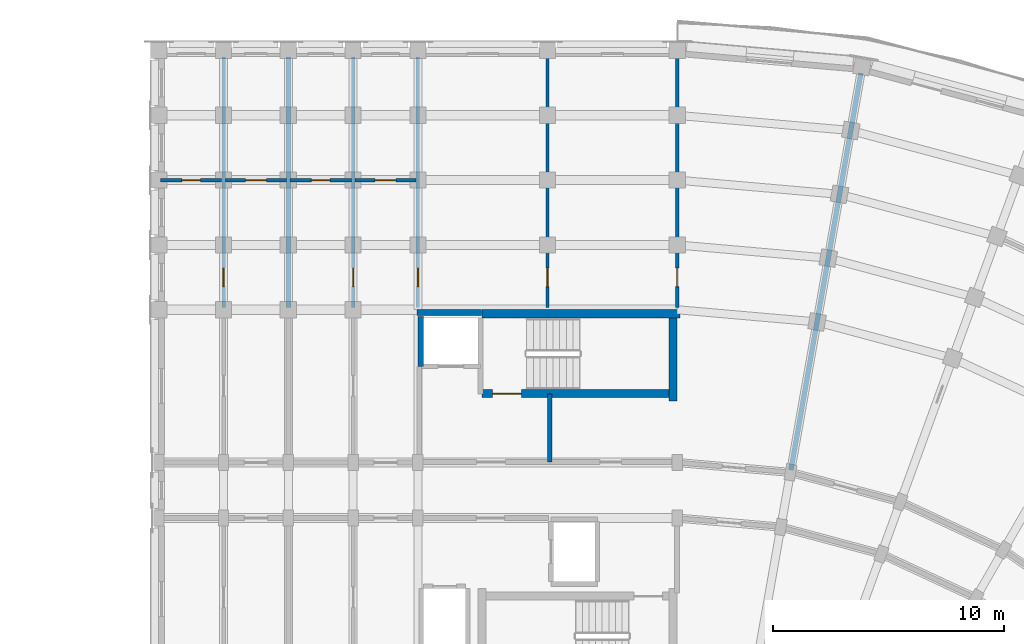
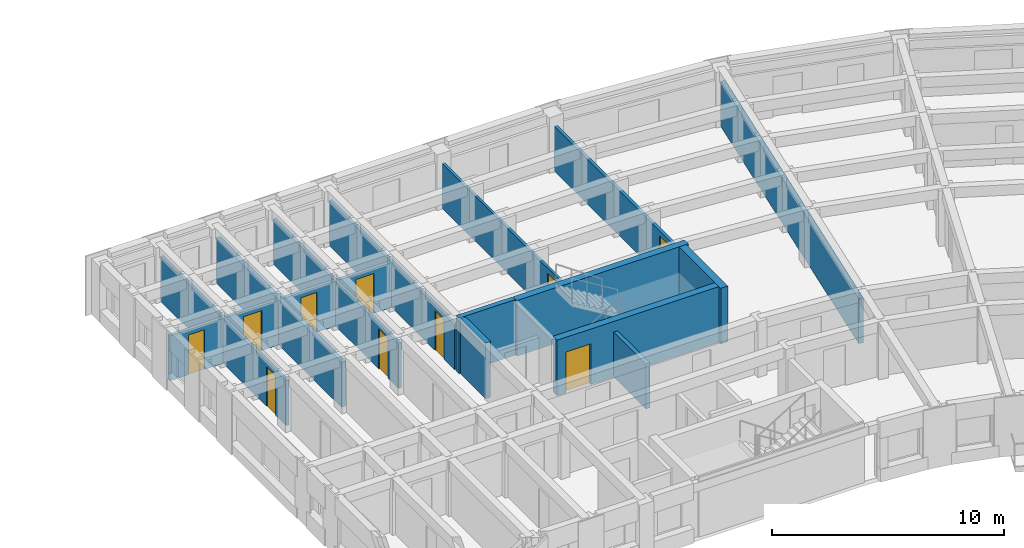
# One storey, part 32 of 57: 17 walls, 10 doors, 10 openings.
"""IFC4 building model written with IfcOpenShell, lengths in metres."""

from ifc_helpers import new_model, si_unit, direction, frame, frame_2d, origin, place, context, subcontext, project, spatial, rectangle, extrude, material, layer, layer_set, type_object, element, fill, save


model = new_model("IFC4")

# Units and contexts
model_context = context("Model", 3, precision=1e-05, world=origin(), true_north=direction((0.0, 1.0)))
body_context = subcontext(model_context, "Body", "Model", "MODEL_VIEW")
ifc_project = project(units=[si_unit("LENGTHUNIT", "METRE"), si_unit("AREAUNIT", "SQUARE_METRE"), si_unit("VOLUMEUNIT", "CUBIC_METRE"), si_unit("PLANEANGLEUNIT", "RADIAN"), si_unit("MASSUNIT", "GRAM", prefix="KILO")], contexts=[model_context])

# Site, building, storey
site_placement = place(None, origin())
site = spatial("IfcSite", under=ifc_project, at=site_placement, CompositionType="ELEMENT")
building_placement = place(site_placement, origin())
building = spatial("IfcBuilding", under=site, at=building_placement, Name="Kiranvali Square Residences", CompositionType="ELEMENT")
storey_placement = place(building_placement, frame((0.0, 0.0, 21.300048828125)))
storey = spatial("IfcBuildingStorey", under=building, at=storey_placement, Name="L06", CompositionType="ELEMENT", Elevation=21.300048828125)

# Walls
ifc_material_1 = material(Name="Autoclaved aerated concrete blockwork masonry", Category="masonry")
ifc_layer_1 = layer(ifc_material_1, 0.219970703125)
ifc_layer_set_1 = layer_set([ifc_layer_1], Name="Autoclaved aerated concrete blockwork masonry")
wall_type_1 = type_object("IfcWallType", Name="WL-DEM-220", PredefinedType="STANDARD", material=ifc_layer_set_1)
wall_1_placement = place(storey_placement, frame((103.0, 122.699951171875, 0.0), z_axis=(0.0, 0.0, 1.0), x_axis=(0.0, 1.0, 0.0)))
element("IfcWall", 1, at=wall_1_placement, inside=storey, type_object=wall_type_1, Name="L06 architectural wall WL-L06-B-A1TO2-2", PredefinedType="STANDARD", context=body_context, shape_type="SweptSolid", body=[
    extrude(rectangle(XDim=10.820068359375, YDim=0.219970703125, at=frame_2d((5.41015625, 0.0))), origin(), (0.0, 0.0, 1.0), 2.3720703125),
])
wall_2_placement = place(storey_placement, frame((124.71435546875, 115.670166015625, 0.0), z_axis=(0.0, 0.0, 1.0), x_axis=(0.173646216546, 0.984808098809, 0.0)))
element("IfcWall", 2, at=wall_2_placement, inside=storey, type_object=wall_type_1, Name="L06 architectural wall WL-L06-B-RADO-1", PredefinedType="STANDARD", context=body_context, shape_type="SweptSolid", body=[
    extrude(rectangle(XDim=17.419921875, YDim=0.219970703125, at=frame_2d((8.7099609375, 0.0))), origin(), (0.0, 0.0, 1.0), 2.3720703125),
])
ifc_layer_2 = layer(ifc_material_1, 0.199951171875)
ifc_layer_set_2 = layer_set([ifc_layer_2], Name="Autoclaved aerated concrete blockwork masonry")
wall_type_2 = type_object("IfcWallType", Name="WL-FFL-200", PredefinedType="STANDARD", material=ifc_layer_set_2)
wall_3_placement = place(storey_placement, frame((114.300048828125, 116.02001953125, 0.0), z_axis=(0.0, 0.0, 1.0), x_axis=(0.0, 1.0, 0.0)))
element("IfcWall", 3, at=wall_3_placement, inside=storey, type_object=wall_type_2, Name="L06 architectural wall WL-L06-B-FF-DIV", PredefinedType="STANDARD", context=body_context, shape_type="SweptSolid", body=[
    extrude(rectangle(XDim=2.929931640625, YDim=0.199951171875, at=frame_2d((1.46484375, 0.0))), origin(), (0.0, 0.0, 1.0), 2.3720703125),
])

# Wall, opening, door
ifc_material_2 = material(Name="Acoustic gypsum board drylined partition", Category="gypsum")
ifc_layer_3 = layer(ifc_material_2, 0.125)
ifc_layer_set_3 = layer_set([ifc_layer_3], Name="Acoustic gypsum board drylined partition")
wall_type_3 = type_object("IfcWallType", Name="WL-PRT-125", PredefinedType="PARTITIONING", material=ifc_layer_set_3)
wall_4_placement = place(storey_placement, frame((114.199951171875, 122.699951171875, 0.0), z_axis=(0.0, 0.0, 1.0), x_axis=(0.0, 1.0, 0.0)))
wall_4 = element("IfcWall", 4, at=wall_4_placement, inside=storey, type_object=wall_type_3, Name="L06 architectural wall WL-L06-B-CF-MID", PredefinedType="PARTITIONING", context=body_context, shape_type="SweptSolid", body=[
    extrude(rectangle(XDim=10.820068359375, YDim=0.125, at=frame_2d((5.41015625, 0.0))), origin(), (0.0, 0.0, 1.0), 2.3720703125),
])
opening_1_placement = place(wall_4_placement, frame((0.8994140625, 0.0, 0.0)))
opening_1 = element("IfcOpeningElement", 5, at=opening_1_placement, cuts=wall_4, Name="Opening ID-WET", PredefinedType="OPENING", context=body_context, shape_type="SweptSolid", body=[
    extrude(rectangle(XDim=0.800048828125, YDim=2.10009765625, at=frame_2d((0.39990234375, 1.050048828125))), frame((0.0, 0.072509765625, 0.0), z_axis=(0.0, -1.0, 0.0), x_axis=(1.0, 0.0, 0.0)), (0.0, 0.0, 1.0), 0.14501953125),
])
ifc_material_3 = material(Name="Solid seasoned teak hardwood joinery", Category="wood")
door_type_1 = type_object("IfcDoorType", Name="DR-WET-800", OperationType="NOTDEFINED", PredefinedType="DOOR", material=ifc_material_3)
door_1_placement = place(opening_1_placement, origin())
door_1 = element("IfcDoor", 6, at=door_1_placement, inside=storey, type_object=door_type_1, Name="L06 door DR-L06-1337 (DR-WET-800)", OperationType="SINGLE_SWING_LEFT", OverallHeight=2.10009765625, OverallWidth=0.800048828125, PredefinedType="DOOR", context=body_context, shape_type="SweptSolid", body=[
    extrude(rectangle(XDim=0.800048828125, YDim=2.10009765625, at=frame_2d((0.39990234375, 1.050048828125))), frame((0.0, 0.02490234375, 0.0), z_axis=(0.0, -1.0, 0.0), x_axis=(1.0, 0.0, 0.0)), (0.0, 0.0, 1.0), 0.050048828125),
])
fill(opening_1, door_1)

ifc_layer_4 = layer(ifc_material_2, 0.14990234375)
ifc_layer_set_4 = layer_set([ifc_layer_4], Name="Acoustic gypsum board drylined partition")
wall_type_4 = type_object("IfcWallType", Name="WL-PRT-150", PredefinedType="PARTITIONING", material=ifc_layer_set_4)
wall_5_placement = place(storey_placement, frame((108.60009765625, 122.699951171875, 0.0), z_axis=(0.0, 0.0, 1.0), x_axis=(0.0, 1.0, 0.0)))
wall_5 = element("IfcWall", 7, at=wall_5_placement, inside=storey, type_object=wall_type_4, Name="L06 architectural wall WL-L06-B-A1TO2-0", PredefinedType="PARTITIONING", context=body_context, shape_type="SweptSolid", body=[
    extrude(rectangle(XDim=10.820068359375, YDim=0.14990234375, at=frame_2d((5.41015625, 0.0))), origin(), (0.0, 0.0, 1.0), 2.3720703125),
])
opening_2_placement = place(wall_5_placement, frame((0.8994140625, 0.0, 0.0)))
opening_2 = element("IfcOpeningElement", 8, at=opening_2_placement, cuts=wall_5, Name="Opening ID-WET", PredefinedType="OPENING", context=body_context, shape_type="SweptSolid", body=[
    extrude(rectangle(XDim=0.800048828125, YDim=2.10009765625, at=frame_2d((0.39990234375, 1.050048828125))), frame((0.0, 0.0849609375, 0.0), z_axis=(0.0, -1.0, 0.0), x_axis=(1.0, 0.0, 0.0)), (0.0, 0.0, 1.0), 0.169921875),
])
door_2_placement = place(opening_2_placement, frame((0.800048828125, 0.0, 0.0), z_axis=(0.0, 0.0, 1.0), x_axis=(-1.0, 0.0, 0.0)))
door_2 = element("IfcDoor", 9, at=door_2_placement, inside=storey, type_object=door_type_1, Name="L06 door DR-L06-1346 (DR-WET-800)", OperationType="SINGLE_SWING_RIGHT", OverallHeight=2.10009765625, OverallWidth=0.800048828125, PredefinedType="DOOR", context=body_context, shape_type="SweptSolid", body=[
    extrude(rectangle(XDim=0.800048828125, YDim=2.10009765625, at=frame_2d((0.39990234375, 1.050048828125))), frame((0.0, 0.02490234375, 0.0), z_axis=(0.0, -1.0, 0.0), x_axis=(1.0, 0.0, 0.0)), (0.0, 0.0, 1.0), 0.050048828125),
])
fill(opening_2, door_2)

wall_6_placement = place(storey_placement, frame((105.800048828125, 122.699951171875, 0.0), z_axis=(0.0, 0.0, 1.0), x_axis=(0.0, 1.0, 0.0)))
wall_6 = element("IfcWall", 10, at=wall_6_placement, inside=storey, type_object=wall_type_4, Name="L06 architectural wall WL-L06-B-A1TO2-1", PredefinedType="PARTITIONING", context=body_context, shape_type="SweptSolid", body=[
    extrude(rectangle(XDim=10.820068359375, YDim=0.14990234375, at=frame_2d((5.41015625, 0.0))), origin(), (0.0, 0.0, 1.0), 2.3720703125),
])
opening_3_placement = place(wall_6_placement, frame((0.8994140625, 0.0, 0.0)))
opening_3 = element("IfcOpeningElement", 11, at=opening_3_placement, cuts=wall_6, Name="Opening ID-WET", PredefinedType="OPENING", context=body_context, shape_type="SweptSolid", body=[
    extrude(rectangle(XDim=0.800048828125, YDim=2.10009765625, at=frame_2d((0.39990234375, 1.050048828125))), frame((0.0, 0.0849609375, 0.0), z_axis=(0.0, -1.0, 0.0), x_axis=(1.0, 0.0, 0.0)), (0.0, 0.0, 1.0), 0.169921875),
])
door_3_placement = place(opening_3_placement, origin())
door_3 = element("IfcDoor", 12, at=door_3_placement, inside=storey, type_object=door_type_1, Name="L06 door DR-L06-1349 (DR-WET-800)", OperationType="SINGLE_SWING_LEFT", OverallHeight=2.10009765625, OverallWidth=0.800048828125, PredefinedType="DOOR", context=body_context, shape_type="SweptSolid", body=[
    extrude(rectangle(XDim=0.800048828125, YDim=2.10009765625, at=frame_2d((0.39990234375, 1.050048828125))), frame((0.0, 0.02490234375, 0.0), z_axis=(0.0, -1.0, 0.0), x_axis=(1.0, 0.0, 0.0)), (0.0, 0.0, 1.0), 0.050048828125),
])
fill(opening_3, door_3)

wall_7_placement = place(storey_placement, frame((100.199951171875, 122.699951171875, 0.0), z_axis=(0.0, 0.0, 1.0), x_axis=(0.0, 1.0, 0.0)))
wall_7 = element("IfcWall", 13, at=wall_7_placement, inside=storey, type_object=wall_type_4, Name="L06 architectural wall WL-L06-B-A1TO2-3", PredefinedType="PARTITIONING", context=body_context, shape_type="SweptSolid", body=[
    extrude(rectangle(XDim=10.820068359375, YDim=0.14990234375, at=frame_2d((5.41015625, 0.0))), origin(), (0.0, 0.0, 1.0), 2.3720703125),
])
opening_4_placement = place(wall_7_placement, frame((0.8994140625, 0.0, 0.0)))
opening_4 = element("IfcOpeningElement", 14, at=opening_4_placement, cuts=wall_7, Name="Opening ID-WET", PredefinedType="OPENING", context=body_context, shape_type="SweptSolid", body=[
    extrude(rectangle(XDim=0.800048828125, YDim=2.10009765625, at=frame_2d((0.39990234375, 1.050048828125))), frame((0.0, 0.0849609375, 0.0), z_axis=(0.0, -1.0, 0.0), x_axis=(1.0, 0.0, 0.0)), (0.0, 0.0, 1.0), 0.169921875),
])
door_4_placement = place(opening_4_placement, frame((0.800048828125, 0.0, 0.0), z_axis=(0.0, 0.0, 1.0), x_axis=(-1.0, 0.0, 0.0)))
door_4 = element("IfcDoor", 15, at=door_4_placement, inside=storey, type_object=door_type_1, Name="L06 door DR-L06-1352 (DR-WET-800)", OperationType="SINGLE_SWING_RIGHT", OverallHeight=2.10009765625, OverallWidth=0.800048828125, PredefinedType="DOOR", context=body_context, shape_type="SweptSolid", body=[
    extrude(rectangle(XDim=0.800048828125, YDim=2.10009765625, at=frame_2d((0.39990234375, 1.050048828125))), frame((0.0, 0.02490234375, 0.0), z_axis=(0.0, -1.0, 0.0), x_axis=(1.0, 0.0, 0.0)), (0.0, 0.0, 1.0), 0.050048828125),
])
fill(opening_4, door_4)

wall_8_placement = place(storey_placement, frame((119.800048828125, 122.699951171875, 0.0), z_axis=(0.0, 0.0, 1.0), x_axis=(0.0, 1.0, 0.0)))
wall_8 = element("IfcWall", 16, at=wall_8_placement, inside=storey, type_object=wall_type_4, Name="L06 architectural wall WL-L06-B-RADO-0", PredefinedType="PARTITIONING", context=body_context, shape_type="SweptSolid", body=[
    extrude(rectangle(XDim=10.820068359375, YDim=0.14990234375, at=frame_2d((5.41015625, 0.0))), origin(), (0.0, 0.0, 1.0), 2.3720703125),
])
opening_5_placement = place(wall_8_placement, frame((0.8994140625, 0.0, 0.0)))
opening_5 = element("IfcOpeningElement", 17, at=opening_5_placement, cuts=wall_8, Name="Opening ID-WET", PredefinedType="OPENING", context=body_context, shape_type="SweptSolid", body=[
    extrude(rectangle(XDim=0.800048828125, YDim=2.10009765625, at=frame_2d((0.39990234375, 1.050048828125))), frame((0.0, 0.0849609375, 0.0), z_axis=(0.0, -1.0, 0.0), x_axis=(1.0, 0.0, 0.0)), (0.0, 0.0, 1.0), 0.169921875),
])
door_5_placement = place(opening_5_placement, origin())
door_5 = element("IfcDoor", 18, at=door_5_placement, inside=storey, type_object=door_type_1, Name="L06 door DR-L06-1353 (DR-WET-800)", OperationType="SINGLE_SWING_LEFT", OverallHeight=2.10009765625, OverallWidth=0.800048828125, PredefinedType="DOOR", context=body_context, shape_type="SweptSolid", body=[
    extrude(rectangle(XDim=0.800048828125, YDim=2.10009765625, at=frame_2d((0.39990234375, 1.050048828125))), frame((0.0, 0.02490234375, 0.0), z_axis=(0.0, -1.0, 0.0), x_axis=(1.0, 0.0, 0.0)), (0.0, 0.0, 1.0), 0.050048828125),
])
fill(opening_5, door_5)

# Walls
ifc_material_4 = material(Name="Concrete M45 (45 MPa)", Category="concrete")
ifc_layer_5 = layer(ifc_material_4, 0.25)
ifc_layer_set_5 = layer_set([ifc_layer_5], Name="Concrete M45 (45 MPa)")
wall_type_5 = type_object("IfcWallType", Name="WL-SHR-250", PredefinedType="SHEAR", material=ifc_layer_set_5)
wall_9_placement = place(storey_placement, frame((111.35009765625, 122.47509765625, 0.0), z_axis=(0.0, 0.0, 1.0), x_axis=(-1.0, 0.0, 0.0)))
element("IfcWall", 19, at=wall_9_placement, inside=storey, type_object=wall_type_5, Name="Block B core shear wall SW-BFF-BK-L06", PredefinedType="SHEAR", context=body_context, shape_type="SweptSolid", body=[
    extrude(rectangle(XDim=2.800048828125, YDim=0.25, at=frame_2d((1.39990234375, 0.0))), origin(), (0.0, 0.0, 1.0), 2.929931640625),
])
wall_10_placement = place(storey_placement, frame((108.72509765625, 120.14990234375, 0.0), z_axis=(0.0, 0.0, 1.0), x_axis=(0.0, 1.0, 0.0)))
element("IfcWall", 20, at=wall_10_placement, inside=storey, type_object=wall_type_5, Name="Block B core shear wall SW-BFF-SD-L06", PredefinedType="SHEAR", context=body_context, shape_type="SweptSolid", body=[
    extrude(rectangle(XDim=2.150146484375, YDim=0.25, at=frame_2d((1.0751953125, 0.0))), origin(), (0.0, 0.0, 1.0), 2.929931640625),
])
ifc_layer_6 = layer(ifc_material_4, 0.320068359375)
ifc_layer_set_6 = layer_set([ifc_layer_6], Name="Concrete M45 (45 MPa)")
wall_type_6 = type_object("IfcWallType", Name="WL-SHR-320", PredefinedType="SHEAR", material=ifc_layer_set_6)
wall_11_placement = place(storey_placement, frame((119.919921875, 122.425048828125, 0.0), z_axis=(0.0, 0.0, 1.0), x_axis=(-1.0, 0.0, 0.0)))
element("IfcWall", 21, at=wall_11_placement, inside=storey, type_object=wall_type_6, Name="Block B core shear wall SW-B1-OUT-L06", PredefinedType="SHEAR", context=body_context, shape_type="SweptSolid", body=[
    extrude(rectangle(XDim=8.544921875, YDim=0.35009765625, at=frame_2d((4.2724609375, 0.0))), origin(), (0.0, 0.0, 1.0), 2.929931640625),
])

# Wall, opening, door
wall_12_placement = place(storey_placement, frame((119.449951171875, 118.97509765625, 0.0), z_axis=(0.0, 0.0, 1.0), x_axis=(-1.0, 0.0, 0.0)))
wall_12 = element("IfcWall", 22, at=wall_12_placement, inside=storey, type_object=wall_type_6, Name="Block B core shear wall SW-B1-IN-L06", PredefinedType="SHEAR", context=body_context, shape_type="SweptSolid", body=[
    extrude(rectangle(XDim=8.074951171875, YDim=0.35009765625, at=frame_2d((4.03759765625, 0.0))), origin(), (0.0, 0.0, 1.0), 2.929931640625),
])
opening_6_placement = place(wall_12_placement, frame((6.3798828125, 0.0, 0.0)))
opening_6 = element("IfcOpeningElement", 23, at=opening_6_placement, cuts=wall_12, Name="Opening FD-ST-120", PredefinedType="OPENING", context=body_context, shape_type="SweptSolid", body=[
    extrude(rectangle(XDim=1.239990234375, YDim=2.14990234375, at=frame_2d((0.6201171875, 1.074951171875))), frame((0.0, 0.18505859375, 0.0), z_axis=(0.0, -1.0, 0.0), x_axis=(1.0, 0.0, 0.0)), (0.0, 0.0, 1.0), 0.3701171875),
])
ifc_material_5 = material(Name="Fire-rated acoustic hardwood and mineral-core door assembly", Category="wood")
door_type_2 = type_object("IfcDoorType", Name="DR-FD120-1200", OperationType="NOTDEFINED", PredefinedType="DOOR", material=ifc_material_5)
door_6_placement = place(opening_6_placement, frame((1.239990234375, 0.0, 0.0), z_axis=(0.0, 0.0, 1.0), x_axis=(-1.0, 0.0, 0.0)))
door_6 = element("IfcDoor", 24, at=door_6_placement, inside=storey, type_object=door_type_2, Name="L06 door DR-L06-1329 (DR-FD120-1200)", OperationType="SINGLE_SWING_LEFT", OverallHeight=2.14990234375, OverallWidth=1.239990234375, PredefinedType="DOOR", context=body_context, shape_type="SweptSolid", body=[
    extrude(rectangle(XDim=1.239990234375, YDim=2.14990234375, at=frame_2d((0.6201171875, 1.074951171875))), frame((0.0, 0.02490234375, 0.0), z_axis=(0.0, -1.0, 0.0), x_axis=(1.0, 0.0, 0.0)), (0.0, 0.0, 1.0), 0.050048828125),
])
fill(opening_6, door_6)

# Wall
wall_13_placement = place(storey_placement, frame((119.625, 118.64990234375, 0.0), z_axis=(0.0, 0.0, 1.0), x_axis=(0.0, 1.0, 0.0)))
element("IfcWall", 25, at=wall_13_placement, inside=storey, type_object=wall_type_6, Name="Block B core shear wall SW-B1-FAR-L06", PredefinedType="SHEAR", context=body_context, shape_type="SweptSolid", body=[
    extrude(rectangle(XDim=3.60009765625, YDim=0.35009765625, at=frame_2d((1.800048828125, 0.0))), origin(), (0.0, 0.0, 1.0), 2.929931640625),
])

# Wall, opening, door
ifc_layer_7 = layer(ifc_material_1, 0.159912109375)
ifc_layer_set_7 = layer_set([ifc_layer_7], Name="Autoclaved aerated concrete blockwork masonry")
wall_type_7 = type_object("IfcWallType", Name="WL-WET-160", PredefinedType="PLUMBINGWALL", material=ifc_layer_set_7)
wall_14_placement = place(storey_placement, frame((108.52001953125, 128.199951171875, 0.0), z_axis=(0.0, 0.0, 1.0), x_axis=(-1.0, 0.0, 0.0)))
wall_14 = element("IfcWall", 26, at=wall_14_placement, inside=storey, type_object=wall_type_7, Name="L06 architectural wall WL-L06-B-A1SP-0", PredefinedType="PLUMBINGWALL", context=body_context, shape_type="SweptSolid", body=[
    extrude(rectangle(XDim=2.64013671875, YDim=0.159912109375, at=frame_2d((1.320068359375, 0.0))), origin(), (0.0, 0.0, 1.0), 2.3720703125),
])
opening_7_placement = place(wall_14_placement, frame((0.8701171875, 0.0, 0.0)))
opening_7 = element("IfcOpeningElement", 27, at=opening_7_placement, cuts=wall_14, Name="Opening ID-1", PredefinedType="OPENING", context=body_context, shape_type="SweptSolid", body=[
    extrude(rectangle(XDim=0.89990234375, YDim=2.10009765625, at=frame_2d((0.449951171875, 1.050048828125))), frame((0.0, 0.08984375, 0.0), z_axis=(0.0, -1.0, 0.0), x_axis=(1.0, 0.0, 0.0)), (0.0, 0.0, 1.0), 0.179931640625),
])
door_type_3 = type_object("IfcDoorType", Name="DR-INT-900", OperationType="NOTDEFINED", PredefinedType="DOOR", material=ifc_material_3)
door_7_placement = place(opening_7_placement, origin())
door_7 = element("IfcDoor", 28, at=door_7_placement, inside=storey, type_object=door_type_3, Name="L06 door DR-L06-1339 (DR-INT-900)", OperationType="SINGLE_SWING_LEFT", OverallHeight=2.10009765625, OverallWidth=0.89990234375, PredefinedType="DOOR", context=body_context, shape_type="SweptSolid", body=[
    extrude(rectangle(XDim=0.89990234375, YDim=2.10009765625, at=frame_2d((0.449951171875, 1.050048828125))), frame((0.0, 0.02490234375, 0.0), z_axis=(0.0, -1.0, 0.0), x_axis=(1.0, 0.0, 0.0)), (0.0, 0.0, 1.0), 0.050048828125),
])
fill(opening_7, door_7)

wall_15_placement = place(storey_placement, frame((105.719970703125, 128.199951171875, 0.0), z_axis=(0.0, 0.0, 1.0), x_axis=(-1.0, 0.0, 0.0)))
wall_15 = element("IfcWall", 29, at=wall_15_placement, inside=storey, type_object=wall_type_7, Name="L06 architectural wall WL-L06-B-A1SP-1", PredefinedType="PLUMBINGWALL", context=body_context, shape_type="SweptSolid", body=[
    extrude(rectangle(XDim=2.639892578125, YDim=0.159912109375, at=frame_2d((1.31982421875, 0.0))), origin(), (0.0, 0.0, 1.0), 2.3720703125),
])
opening_8_placement = place(wall_15_placement, frame((0.919921875, 0.0, 0.0)))
opening_8 = element("IfcOpeningElement", 30, at=opening_8_placement, cuts=wall_15, Name="Opening ID-WET", PredefinedType="OPENING", context=body_context, shape_type="SweptSolid", body=[
    extrude(rectangle(XDim=0.800048828125, YDim=2.10009765625, at=frame_2d((0.39990234375, 1.050048828125))), frame((0.0, 0.08984375, 0.0), z_axis=(0.0, -1.0, 0.0), x_axis=(1.0, 0.0, 0.0)), (0.0, 0.0, 1.0), 0.179931640625),
])
door_8_placement = place(opening_8_placement, origin())
door_8 = element("IfcDoor", 31, at=door_8_placement, inside=storey, type_object=door_type_1, Name="L06 door DR-L06-1341 (DR-WET-800)", OperationType="SINGLE_SWING_LEFT", OverallHeight=2.10009765625, OverallWidth=0.800048828125, PredefinedType="DOOR", context=body_context, shape_type="SweptSolid", body=[
    extrude(rectangle(XDim=0.800048828125, YDim=2.10009765625, at=frame_2d((0.39990234375, 1.050048828125))), frame((0.0, 0.02490234375, 0.0), z_axis=(0.0, -1.0, 0.0), x_axis=(1.0, 0.0, 0.0)), (0.0, 0.0, 1.0), 0.050048828125),
])
fill(opening_8, door_8)

wall_16_placement = place(storey_placement, frame((102.919921875, 128.199951171875, 0.0), z_axis=(0.0, 0.0, 1.0), x_axis=(-1.0, 0.0, 0.0)))
wall_16 = element("IfcWall", 32, at=wall_16_placement, inside=storey, type_object=wall_type_7, Name="L06 architectural wall WL-L06-B-A1SP-2", PredefinedType="PLUMBINGWALL", context=body_context, shape_type="SweptSolid", body=[
    extrude(rectangle(XDim=2.639892578125, YDim=0.159912109375, at=frame_2d((1.31982421875, 0.0))), origin(), (0.0, 0.0, 1.0), 2.3720703125),
])
opening_9_placement = place(wall_16_placement, frame((0.8701171875, 0.0, 0.0)))
opening_9 = element("IfcOpeningElement", 33, at=opening_9_placement, cuts=wall_16, Name="Opening ID-1", PredefinedType="OPENING", context=body_context, shape_type="SweptSolid", body=[
    extrude(rectangle(XDim=0.89990234375, YDim=2.10009765625, at=frame_2d((0.449951171875, 1.050048828125))), frame((0.0, 0.08984375, 0.0), z_axis=(0.0, -1.0, 0.0), x_axis=(1.0, 0.0, 0.0)), (0.0, 0.0, 1.0), 0.179931640625),
])
door_9_placement = place(opening_9_placement, origin())
door_9 = element("IfcDoor", 34, at=door_9_placement, inside=storey, type_object=door_type_3, Name="L06 door DR-L06-1343 (DR-INT-900)", OperationType="SINGLE_SWING_LEFT", OverallHeight=2.10009765625, OverallWidth=0.89990234375, PredefinedType="DOOR", context=body_context, shape_type="SweptSolid", body=[
    extrude(rectangle(XDim=0.89990234375, YDim=2.10009765625, at=frame_2d((0.449951171875, 1.050048828125))), frame((0.0, 0.02490234375, 0.0), z_axis=(0.0, -1.0, 0.0), x_axis=(1.0, 0.0, 0.0)), (0.0, 0.0, 1.0), 0.050048828125),
])
fill(opening_9, door_9)

wall_17_placement = place(storey_placement, frame((100.1201171875, 128.199951171875, 0.0), z_axis=(0.0, 0.0, 1.0), x_axis=(-1.0, 0.0, 0.0)))
wall_17 = element("IfcWall", 35, at=wall_17_placement, inside=storey, type_object=wall_type_7, Name="L06 architectural wall WL-L06-B-A1SP-3", PredefinedType="PLUMBINGWALL", context=body_context, shape_type="SweptSolid", body=[
    extrude(rectangle(XDim=2.64013671875, YDim=0.159912109375, at=frame_2d((1.320068359375, 0.0))), origin(), (0.0, 0.0, 1.0), 2.3720703125),
])
opening_10_placement = place(wall_17_placement, frame((0.919921875, 0.0, 0.0)))
opening_10 = element("IfcOpeningElement", 36, at=opening_10_placement, cuts=wall_17, Name="Opening ID-WET", PredefinedType="OPENING", context=body_context, shape_type="SweptSolid", body=[
    extrude(rectangle(XDim=0.800048828125, YDim=2.10009765625, at=frame_2d((0.39990234375, 1.050048828125))), frame((0.0, 0.08984375, 0.0), z_axis=(0.0, -1.0, 0.0), x_axis=(1.0, 0.0, 0.0)), (0.0, 0.0, 1.0), 0.179931640625),
])
door_10_placement = place(opening_10_placement, origin())
door_10 = element("IfcDoor", 37, at=door_10_placement, inside=storey, type_object=door_type_1, Name="L06 door DR-L06-1345 (DR-WET-800)", OperationType="SINGLE_SWING_LEFT", OverallHeight=2.10009765625, OverallWidth=0.800048828125, PredefinedType="DOOR", context=body_context, shape_type="SweptSolid", body=[
    extrude(rectangle(XDim=0.800048828125, YDim=2.10009765625, at=frame_2d((0.39990234375, 1.050048828125))), frame((0.0, 0.02490234375, 0.0), z_axis=(0.0, -1.0, 0.0), x_axis=(1.0, 0.0, 0.0)), (0.0, 0.0, 1.0), 0.050048828125),
])
fill(opening_10, door_10)

save(model, "model.ifc")
